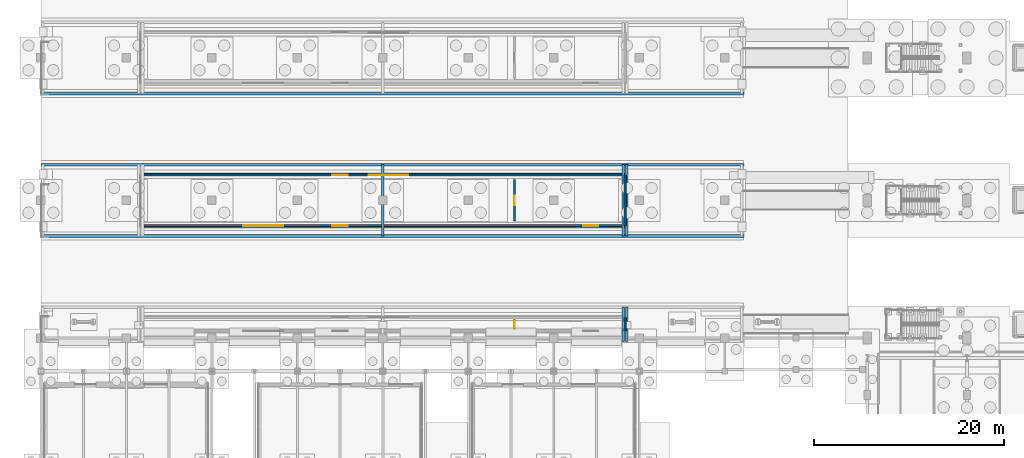
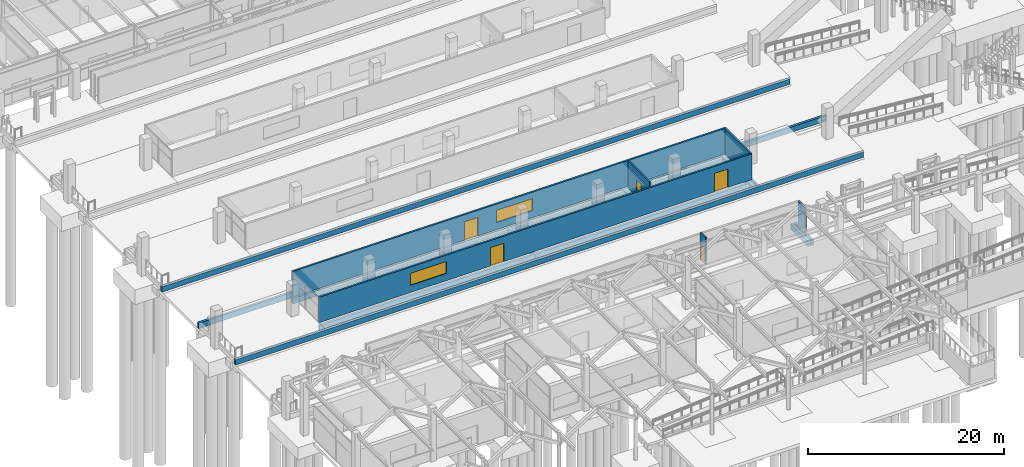
# One storey, part 99 of 160: 16 walls, 5 doors, 2 windows, 7 openings.
"""IFC4 building model written with IfcOpenShell, lengths in metres."""

from ifc_helpers import new_model, si_unit, direction, frame, frame_2d, origin, place, context, subcontext, project, spatial, rectangle, extrude, material, layer, layer_set, type_object, element, fill, save


model = new_model("IFC4")

# Units and contexts
model_context = context("Model", 3, precision=1e-05, world=origin(), true_north=direction((0.0, 1.0)))
body_context = subcontext(model_context, "Body", "Model", "MODEL_VIEW")
ifc_project = project(units=[si_unit("LENGTHUNIT", "METRE"), si_unit("AREAUNIT", "SQUARE_METRE"), si_unit("VOLUMEUNIT", "CUBIC_METRE"), si_unit("PLANEANGLEUNIT", "RADIAN"), si_unit("MASSUNIT", "GRAM", prefix="KILO")], contexts=[model_context])

# Site, building, storey
site_placement = place(None, origin())
site = spatial("IfcSite", under=ifc_project, at=site_placement, CompositionType="ELEMENT")
building_placement = place(site_placement, origin())
building = spatial("IfcBuilding", under=site, at=building_placement, Name="Marlcrest Central Station", CompositionType="ELEMENT")
storey_placement = place(building_placement, origin())
storey = spatial("IfcBuildingStorey", under=building, at=storey_placement, Name="L00", CompositionType="ELEMENT", Elevation=0.0)

# Wall
ifc_material_1 = material(Name="Concrete C35/45", Category="concrete")
ifc_layer_1 = layer(ifc_material_1, 0.2099609375, Name="EW-08")
ifc_layer_set_1 = layer_set([ifc_layer_1], Name="Concrete C35/45")
wall_type_1 = type_object("IfcWallType", Name="EW-08", PredefinedType="SOLIDWALL", material=ifc_layer_set_1)
wall_1_placement = place(storey_placement, frame((61.5, 38.64990234375, 0.9150390625), z_axis=(0.0, 0.0, 1.0), x_axis=(0.0, -1.0, 0.0)))
element("IfcWall", 1, at=wall_1_placement, inside=storey, type_object=wall_type_1, Name="ewall-L00-0217", PredefinedType="SOLIDWALL", context=body_context, shape_type="SweptSolid", body=[
    extrude(rectangle(XDim=1.39990234375, YDim=0.2099609375, at=frame_2d((0.699951171875, 0.0))), origin(), (0.0, 0.0, 1.0), 3.18505859375),
])

# Wall, openings, doors, window
wall_2_placement = place(storey_placement, frame((61.5, 48.35009765625, 0.9150390625), z_axis=(0.0, 0.0, 1.0), x_axis=(-1.0, 0.0, 0.0)))
wall_2 = element("IfcWall", 2, at=wall_2_placement, inside=storey, type_object=wall_type_1, Name="ewall-L00-0221", PredefinedType="SOLIDWALL", context=body_context, shape_type="SweptSolid", body=[
    extrude(rectangle(XDim=51.0, YDim=0.2099609375, at=frame_2d((25.5, 0.0))), origin(), (0.0, 0.0, 1.0), 3.18505859375),
])
opening_1_placement = place(wall_2_placement, frame((29.199951171875, 0.0, 0.0)))
opening_1 = element("IfcOpeningElement", 3, at=opening_1_placement, cuts=wall_2, Name="Opening ED-05", PredefinedType="OPENING", context=body_context, shape_type="SweptSolid", body=[
    extrude(rectangle(XDim=1.60009765625, YDim=2.300048828125, at=frame_2d((0.800048828125, 1.14990234375))), frame((0.0, 0.114990234375, 0.0), z_axis=(0.0, -1.0, 0.0), x_axis=(1.0, 0.0, 0.0)), (0.0, 0.0, 1.0), 0.22998046875),
])
opening_2_placement = place(wall_2_placement, frame((2.800048828125, 0.0, 0.0)))
opening_2 = element("IfcOpeningElement", 4, at=opening_2_placement, cuts=wall_2, Name="Opening ED-05", PredefinedType="OPENING", context=body_context, shape_type="SweptSolid", body=[
    extrude(rectangle(XDim=1.60009765625, YDim=2.300048828125, at=frame_2d((0.800048828125, 1.14990234375))), frame((0.0, 0.114990234375, 0.0), z_axis=(0.0, -1.0, 0.0), x_axis=(1.0, 0.0, 0.0)), (0.0, 0.0, 1.0), 0.22998046875),
])
opening_3_placement = place(wall_2_placement, frame((36.0, 0.0, 0.89990234375)))
opening_3 = element("IfcOpeningElement", 5, at=opening_3_placement, cuts=wall_2, Name="Opening WN-12", PredefinedType="OPENING", context=body_context, shape_type="SweptSolid", body=[
    extrude(rectangle(XDim=4.199951171875, YDim=1.5, at=frame_2d((2.10009765625, 0.75))), frame((0.0, 0.114990234375, 0.0), z_axis=(0.0, -1.0, 0.0), x_axis=(1.0, 0.0, 0.0)), (0.0, 0.0, 1.0), 0.22998046875),
])
ifc_material_2 = material(Name="Thermally broken anodised aluminium and laminated safety glass", Category="aluminium")
door_type_1 = type_object("IfcDoorType", Name="ED-05", OperationType="DOUBLE_DOOR_SINGLE_SWING", PredefinedType="DOOR", material=ifc_material_2)
door_1_placement = place(opening_1_placement, origin())
door_1 = element("IfcDoor", 6, at=door_1_placement, inside=storey, type_object=door_type_1, Name="Platform 2 W South Lounge Door 051", OperationType="DOUBLE_DOOR_SINGLE_SWING", OverallHeight=2.300048828125, OverallWidth=1.60009765625, PredefinedType="DOOR", context=body_context, shape_type="SweptSolid", body=[
    extrude(rectangle(XDim=1.60009765625, YDim=2.300048828125, at=frame_2d((0.800048828125, 1.14990234375))), frame((0.0, 0.02490234375, 0.0), z_axis=(0.0, -1.0, 0.0), x_axis=(1.0, 0.0, 0.0)), (0.0, 0.0, 1.0), 0.050048828125),
])
fill(opening_1, door_1)
door_2_placement = place(opening_2_placement, origin())
door_2 = element("IfcDoor", 7, at=door_2_placement, inside=storey, type_object=door_type_1, Name="Platform 2 W Pod Door 052", OperationType="DOUBLE_DOOR_SINGLE_SWING", OverallHeight=2.300048828125, OverallWidth=1.60009765625, PredefinedType="DOOR", context=body_context, shape_type="SweptSolid", body=[
    extrude(rectangle(XDim=1.60009765625, YDim=2.300048828125, at=frame_2d((0.800048828125, 1.14990234375))), frame((0.0, 0.02490234375, 0.0), z_axis=(0.0, -1.0, 0.0), x_axis=(1.0, 0.0, 0.0)), (0.0, 0.0, 1.0), 0.050048828125),
])
fill(opening_2, door_2)
ifc_material_3 = material(Name="Thermally broken bronze-anodised aluminium and laminated low-E glass", Category="aluminium")
window_type = type_object("IfcWindowType", Name="WN-12", PartitioningType="SINGLE_PANEL", PredefinedType="WINDOW", material=ifc_material_3)
window_1_placement = place(opening_3_placement, origin())
window_1 = element("IfcWindow", 8, at=window_1_placement, inside=storey, type_object=window_type, Name="ewin-L00-0172", OverallHeight=1.5, OverallWidth=4.199951171875, PartitioningType="SINGLE_PANEL", PredefinedType="WINDOW", context=body_context, shape_type="SweptSolid", body=[
    extrude(rectangle(XDim=4.199951171875, YDim=1.5, at=frame_2d((2.10009765625, 0.75))), frame((0.0, 0.030029296875, 0.0), z_axis=(0.0, -1.0, 0.0), x_axis=(1.0, 0.0, 0.0)), (0.0, 0.0, 1.0), 0.06005859375),
])
fill(opening_3, window_1)

# Wall, openings, door, window
wall_3_placement = place(storey_placement, frame((10.5, 53.64990234375, 0.9150390625), z_axis=(0.0, 0.0, 1.0), x_axis=(1.0, 0.0, 0.0)))
wall_3 = element("IfcWall", 9, at=wall_3_placement, inside=storey, type_object=wall_type_1, Name="ewall-L00-0222", PredefinedType="SOLIDWALL", context=body_context, shape_type="SweptSolid", body=[
    extrude(rectangle(XDim=51.0, YDim=0.2099609375, at=frame_2d((25.5, 0.0))), origin(), (0.0, 0.0, 1.0), 3.18505859375),
])
opening_4_placement = place(wall_3_placement, frame((20.199951171875, 0.0, 0.0)))
opening_4 = element("IfcOpeningElement", 10, at=opening_4_placement, cuts=wall_3, Name="Opening ED-05", PredefinedType="OPENING", context=body_context, shape_type="SweptSolid", body=[
    extrude(rectangle(XDim=1.60009765625, YDim=2.300048828125, at=frame_2d((0.800048828125, 1.14990234375))), frame((0.0, 0.114990234375, 0.0), z_axis=(0.0, -1.0, 0.0), x_axis=(1.0, 0.0, 0.0)), (0.0, 0.0, 1.0), 0.22998046875),
])
opening_5_placement = place(wall_3_placement, frame((24.0, 0.0, 0.89990234375)))
opening_5 = element("IfcOpeningElement", 11, at=opening_5_placement, cuts=wall_3, Name="Opening WN-12", PredefinedType="OPENING", context=body_context, shape_type="SweptSolid", body=[
    extrude(rectangle(XDim=4.199951171875, YDim=1.5, at=frame_2d((2.10009765625, 0.75))), frame((0.0, 0.114990234375, 0.0), z_axis=(0.0, -1.0, 0.0), x_axis=(1.0, 0.0, 0.0)), (0.0, 0.0, 1.0), 0.22998046875),
])
door_3_placement = place(opening_4_placement, origin())
door_3 = element("IfcDoor", 12, at=door_3_placement, inside=storey, type_object=door_type_1, Name="Platform 2 W North Lounge Door 053", OperationType="DOUBLE_DOOR_SINGLE_SWING", OverallHeight=2.300048828125, OverallWidth=1.60009765625, PredefinedType="DOOR", context=body_context, shape_type="SweptSolid", body=[
    extrude(rectangle(XDim=1.60009765625, YDim=2.300048828125, at=frame_2d((0.800048828125, 1.14990234375))), frame((0.0, 0.02490234375, 0.0), z_axis=(0.0, -1.0, 0.0), x_axis=(1.0, 0.0, 0.0)), (0.0, 0.0, 1.0), 0.050048828125),
])
fill(opening_4, door_3)
window_2_placement = place(opening_5_placement, origin())
window_2 = element("IfcWindow", 13, at=window_2_placement, inside=storey, type_object=window_type, Name="ewin-L00-0173", OverallHeight=1.5, OverallWidth=4.199951171875, PartitioningType="SINGLE_PANEL", PredefinedType="WINDOW", context=body_context, shape_type="SweptSolid", body=[
    extrude(rectangle(XDim=4.199951171875, YDim=1.5, at=frame_2d((2.10009765625, 0.75))), frame((0.0, 0.030029296875, 0.0), z_axis=(0.0, -1.0, 0.0), x_axis=(1.0, 0.0, 0.0)), (0.0, 0.0, 1.0), 0.06005859375),
])
fill(opening_5, window_2)

# Wall
wall_4_placement = place(storey_placement, frame((61.5, 53.64990234375, 0.9150390625), z_axis=(0.0, 0.0, 1.0), x_axis=(0.0, -1.0, 0.0)))
element("IfcWall", 14, at=wall_4_placement, inside=storey, type_object=wall_type_1, Name="ewall-L00-0223", PredefinedType="SOLIDWALL", context=body_context, shape_type="SweptSolid", body=[
    extrude(rectangle(XDim=5.2998046875, YDim=0.2099609375, at=frame_2d((2.64990234375, 0.0))), origin(), (0.0, 0.0, 1.0), 3.18505859375),
])

# Wall, opening, door
ifc_material_4 = material(Name="Fire-rated corridor blockwork partition", Category="masonry")
ifc_layer_2 = layer(ifc_material_4, 0.179931640625, Name="PT-04")
ifc_layer_set_2 = layer_set([ifc_layer_2], Name="Fire-rated corridor blockwork partition")
wall_type_2 = type_object("IfcWallType", Name="PT-04", PredefinedType="PARTITIONING", material=ifc_layer_set_2)
wall_5_placement = place(storey_placement, frame((49.860107421875, 37.409912109375, 0.9150390625), z_axis=(0.0, 0.0, 1.0), x_axis=(0.0, 1.0, 0.0)))
wall_5 = element("IfcWall", 15, at=wall_5_placement, inside=storey, type_object=wall_type_2, Name="iwall-L00-00018", PredefinedType="PARTITIONING", context=body_context, shape_type="SweptSolid", body=[
    extrude(rectangle(XDim=1.080078125, YDim=0.179931640625, at=frame_2d((0.5400390625, 0.0))), origin(), (0.0, 0.0, 1.0), 3.43505859375),
])
opening_6_placement = place(wall_5_placement, frame((0.080078125, 0.0, 0.0)))
opening_6 = element("IfcOpeningElement", 16, at=opening_6_placement, cuts=wall_5, Name="Opening ID-07", PredefinedType="OPENING", context=body_context, shape_type="SweptSolid", body=[
    extrude(rectangle(XDim=0.919921875, YDim=2.10009765625, at=frame_2d((0.4599609375, 1.050048828125))), frame((0.0, 0.099853515625, 0.0), z_axis=(0.0, -1.0, 0.0), x_axis=(1.0, 0.0, 0.0)), (0.0, 0.0, 1.0), 0.199951171875),
])
ifc_material_5 = material(Name="Cleaner and store room door")
door_type_2 = type_object("IfcDoorType", Name="ID-07", OperationType="NOTDEFINED", PredefinedType="DOOR", material=ifc_material_5)
door_4_placement = place(opening_6_placement, origin())
door_4 = element("IfcDoor", 17, at=door_4_placement, inside=storey, type_object=door_type_2, Name="L00-PD1 0010", OperationType="SINGLE_SWING_LEFT", OverallHeight=2.10009765625, OverallWidth=0.919921875, PredefinedType="DOOR", context=body_context, shape_type="SweptSolid", body=[
    extrude(rectangle(XDim=0.919921875, YDim=2.10009765625, at=frame_2d((0.4599609375, 1.050048828125))), frame((0.0, 0.02490234375, 0.0), z_axis=(0.0, -1.0, 0.0), x_axis=(1.0, 0.0, 0.0)), (0.0, 0.0, 1.0), 0.050048828125),
])
fill(opening_6, door_4)

wall_6_placement = place(storey_placement, frame((49.860107421875, 48.830078125, 0.9150390625), z_axis=(0.0, 0.0, 1.0), x_axis=(0.0, 1.0, 0.0)))
wall_6 = element("IfcWall", 18, at=wall_6_placement, inside=storey, type_object=wall_type_2, Name="iwall-L00-00020", PredefinedType="PARTITIONING", context=body_context, shape_type="SweptSolid", body=[
    extrude(rectangle(XDim=4.33984375, YDim=0.179931640625, at=frame_2d((2.169921875, 0.0))), origin(), (0.0, 0.0, 1.0), 3.43505859375),
])
opening_7_placement = place(wall_6_placement, frame((1.669921875, 0.0, 0.0)))
opening_7 = element("IfcOpeningElement", 19, at=opening_7_placement, cuts=wall_6, Name="Opening ID-02", PredefinedType="OPENING", context=body_context, shape_type="SweptSolid", body=[
    extrude(rectangle(XDim=1.0, YDim=2.14990234375, at=frame_2d((0.5, 1.074951171875))), frame((0.0, 0.099853515625, 0.0), z_axis=(0.0, -1.0, 0.0), x_axis=(1.0, 0.0, 0.0)), (0.0, 0.0, 1.0), 0.199951171875),
])
ifc_material_6 = material(Name="Solid-core hardwood office door", Category="wood")
door_type_3 = type_object("IfcDoorType", Name="ID-02", OperationType="NOTDEFINED", PredefinedType="DOOR", material=ifc_material_6)
door_5_placement = place(opening_7_placement, origin())
door_5 = element("IfcDoor", 20, at=door_5_placement, inside=storey, type_object=door_type_3, Name="L00-PD2 0012", OperationType="SINGLE_SWING_LEFT", OverallHeight=2.14990234375, OverallWidth=1.0, PredefinedType="DOOR", context=body_context, shape_type="SweptSolid", body=[
    extrude(rectangle(XDim=1.0, YDim=2.14990234375, at=frame_2d((0.5, 1.074951171875))), frame((0.0, 0.02490234375, 0.0), z_axis=(0.0, -1.0, 0.0), x_axis=(1.0, 0.0, 0.0)), (0.0, 0.0, 1.0), 0.050048828125),
])
fill(opening_7, door_5)

# Walls
ifc_layer_3 = layer(ifc_material_1, 0.27490234375, Name="PW-01")
ifc_layer_set_3 = layer_set([ifc_layer_3], Name="Concrete C35/45")
wall_type_3 = type_object("IfcWallType", Name="PW-01", PredefinedType="SOLIDWALL", material=ifc_layer_set_3)
for number, where, z_axis, x_axis, name in (
    (21, (61.300048828125, 36.14990234375, 0.0), (0.0, 0.0, 1.0), (0.0, 1.0, 0.0), "swall-L00-0063"),
    (22, (61.699951171875, 36.14990234375, 0.0), (0.0, 0.0, 1.0), (0.0, 1.0, 0.0), "swall-L00-0064"),
):
    element("IfcWall", number, at=place(storey_placement, frame(where, z_axis=z_axis, x_axis=x_axis)), inside=storey, type_object=wall_type_3, Name=name, PredefinedType="SOLIDWALL", context=body_context, shape_type="SweptSolid", body=[
        extrude(rectangle(XDim=3.60009765625, YDim=0.27490234375, at=frame_2d((1.800048828125, 0.0))), origin(), (0.0, 0.0, 1.0), 0.675048828125),
    ])
for number, where, z_axis, x_axis, name in (
    (23, (0.0, 47.25, 0.0), (0.0, 0.0, 1.0), (1.0, 0.0, 0.0), "swall-L00-0077"),
    (24, (0.0, 54.75, 0.0), (0.0, 0.0, 1.0), (1.0, 0.0, 0.0), "swall-L00-0078"),
):
    element("IfcWall", number, at=place(storey_placement, frame(where, z_axis=z_axis, x_axis=x_axis)), inside=storey, type_object=wall_type_3, Name=name, PredefinedType="SOLIDWALL", context=body_context, shape_type="SweptSolid", body=[
        extrude(rectangle(XDim=74.0, YDim=0.27490234375, at=frame_2d((37.0, 0.0))), origin(), (0.0, 0.0, 1.0), 0.675048828125),
    ])
for number, where, z_axis, x_axis, name in (
    (25, (10.5, 48.25, 0.0), (0.0, 0.0, 1.0), (1.0, 0.0, 0.0), "swall-L00-0079"),
    (26, (10.5, 53.75, 0.0), (0.0, 0.0, 1.0), (1.0, 0.0, 0.0), "swall-L00-0080"),
):
    element("IfcWall", number, at=place(storey_placement, frame(where, z_axis=z_axis, x_axis=x_axis)), inside=storey, type_object=wall_type_3, Name=name, PredefinedType="SOLIDWALL", context=body_context, shape_type="SweptSolid", body=[
        extrude(rectangle(XDim=51.0, YDim=0.27490234375, at=frame_2d((25.5, 0.0))), origin(), (0.0, 0.0, 1.0), 0.675048828125),
    ])
for number, where, z_axis, x_axis, name in (
    (27, (36.0, 47.25, 0.0), (0.0, 0.0, 1.0), (0.0, 1.0, 0.0), "swall-L00-0084"),
    (28, (61.300048828125, 47.25, 0.0), (0.0, 0.0, 1.0), (0.0, 1.0, 0.0), "swall-L00-0085"),
    (29, (61.699951171875, 47.25, 0.0), (0.0, 0.0, 1.0), (0.0, 1.0, 0.0), "swall-L00-0086"),
):
    element("IfcWall", number, at=place(storey_placement, frame(where, z_axis=z_axis, x_axis=x_axis)), inside=storey, type_object=wall_type_3, Name=name, PredefinedType="SOLIDWALL", context=body_context, shape_type="SweptSolid", body=[
        extrude(rectangle(XDim=7.5, YDim=0.27490234375, at=frame_2d((3.75, 0.0))), origin(), (0.0, 0.0, 1.0), 0.675048828125),
    ])
wall_7_placement = place(storey_placement, frame((0.0, 62.25, 0.0), z_axis=(0.0, 0.0, 1.0), x_axis=(1.0, 0.0, 0.0)))
element("IfcWall", 30, at=wall_7_placement, inside=storey, type_object=wall_type_3, Name="swall-L00-0099", PredefinedType="SOLIDWALL", context=body_context, shape_type="SweptSolid", body=[
    extrude(rectangle(XDim=74.0, YDim=0.27490234375, at=frame_2d((37.0, 0.0))), origin(), (0.0, 0.0, 1.0), 0.675048828125),
])

save(model, "model.ifc")
